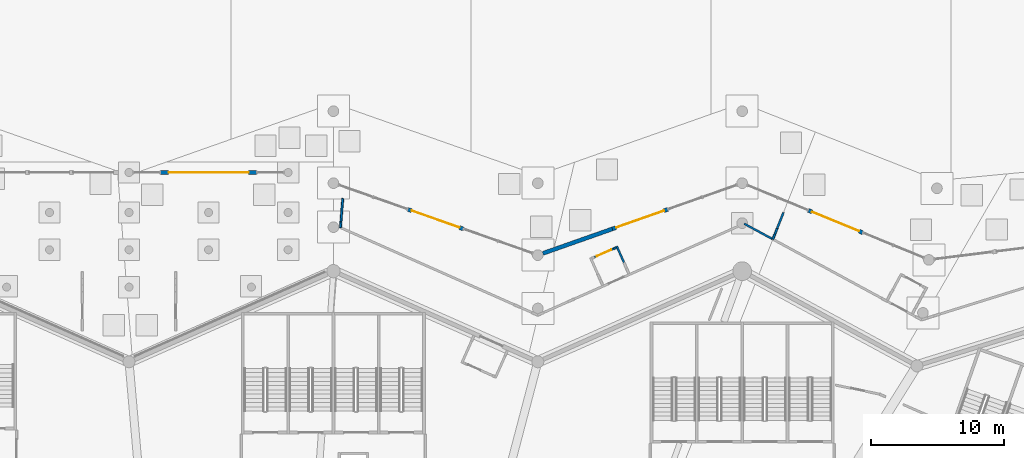
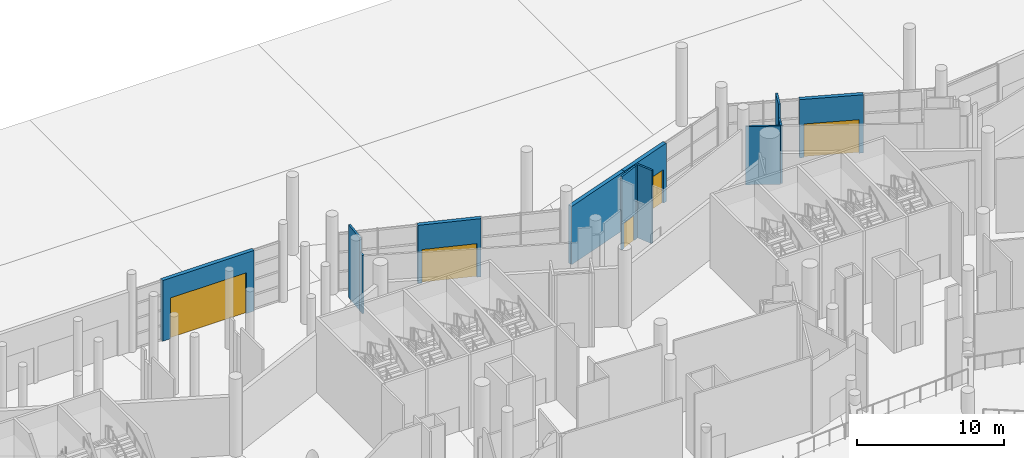
# One storey, part 154 of 255: 14 walls, 5 doors, 5 openings.
"""IFC4 building model written with IfcOpenShell, lengths in metres."""

from ifc_helpers import new_model, si_unit, direction, frame, frame_2d, origin, place, context, subcontext, project, spatial, rectangle, extrude, material, layer, layer_set, type_object, element, fill, save


model = new_model("IFC4")

# Units and contexts
model_context = context("Model", 3, precision=1e-05, world=origin(), true_north=direction((0.0, 1.0)))
body_context = subcontext(model_context, "Body", "Model", "MODEL_VIEW")
ifc_project = project(units=[si_unit("LENGTHUNIT", "METRE"), si_unit("AREAUNIT", "SQUARE_METRE"), si_unit("VOLUMEUNIT", "CUBIC_METRE"), si_unit("PLANEANGLEUNIT", "RADIAN"), si_unit("MASSUNIT", "GRAM", prefix="KILO")], contexts=[model_context])

# Site, building, storey
site_placement = place(None, origin())
site = spatial("IfcSite", under=ifc_project, at=site_placement, CompositionType="ELEMENT")
building_placement = place(site_placement, origin())
building = spatial("IfcBuilding", under=site, at=building_placement, Name="Meseta Stadium", CompositionType="ELEMENT")
storey_placement = place(building_placement, origin())
storey = spatial("IfcBuildingStorey", under=building, at=storey_placement, Name="L00", CompositionType="ELEMENT", Elevation=0.0)

# Wall, opening, door
ifc_material_1 = material(Name="Precast concrete C40/50", Category="concrete")
ifc_layer_1 = layer(ifc_material_1, 0.300048828125)
ifc_layer_set_1 = layer_set([ifc_layer_1], Name="Gate facade panel wall 300")
wall_type_1 = type_object("IfcWallType", Name="Gate facade panel wall 300", PredefinedType="SOLIDWALL", material=ifc_layer_set_1)
wall_1_placement = place(storey_placement, frame((-5.300048828125, 112.800048828125, 0.0), z_axis=(0.0, 0.0, 1.0), x_axis=(1.0, 0.0, 0.0)))
wall_1 = element("IfcWall", 1, at=wall_1_placement, inside=storey, type_object=wall_type_1, Name="Gate 3 entrance wall", PredefinedType="SOLIDWALL", context=body_context, shape_type="SweptSolid", body=[
    extrude(rectangle(XDim=7.199951171875, YDim=0.300048828125, at=frame_2d((3.60009765625, 0.0))), origin(), (0.0, 0.0, 1.0), 5.050048828125),
])
opening_1_placement = place(wall_1_placement, frame((0.60009765625, 0.0, 0.0)))
opening_1 = element("IfcOpeningElement", 2, at=opening_1_placement, cuts=wall_1, Name="Opening D010", PredefinedType="OPENING", context=body_context, shape_type="SweptSolid", body=[
    extrude(rectangle(XDim=6.0, YDim=3.39990234375, at=frame_2d((3.0, 1.699951171875))), frame((0.0, 0.159912109375, 0.0), z_axis=(0.0, -1.0, 0.0), x_axis=(1.0, 0.0, 0.0)), (0.0, 0.0, 1.0), 0.320068359375),
])
ifc_material_2 = material(Name="Steel", Category="steel")
door_type_1 = type_object("IfcDoorType", Name="Main entrance door 6000x3400", OperationType="DOUBLE_DOOR_SINGLE_SWING", PredefinedType="DOOR", material=ifc_material_2)
door_1_placement = place(opening_1_placement, origin())
door_1 = element("IfcDoor", 3, at=door_1_placement, inside=storey, type_object=door_type_1, Name="Main entrance E3", OperationType="DOUBLE_DOOR_SINGLE_SWING", OverallHeight=3.39990234375, OverallWidth=6.0, PredefinedType="DOOR", context=body_context, shape_type="SweptSolid", body=[
    extrude(rectangle(XDim=6.0, YDim=3.39990234375, at=frame_2d((3.0, 1.699951171875))), frame((0.0, 0.02490234375, 0.0), z_axis=(0.0, -1.0, 0.0), x_axis=(1.0, 0.0, 0.0)), (0.0, 0.0, 1.0), 0.050048828125),
])
fill(opening_1, door_1)

# Walls
ifc_material_3 = material(Name="Masonry blockwork", Category="masonry")
ifc_layer_2 = layer(ifc_material_3, 0.14990234375)
ifc_layer_set_2 = layer_set([ifc_layer_2], Name="Partition 150")
wall_type_2 = type_object("IfcWallType", Name="Partition 150", PredefinedType="PARTITIONING", material=ifc_layer_set_2)
wall_2_placement = place(storey_placement, frame((40.63232421875, 107.793701171875, 0.0), z_axis=(0.0, 0.0, 1.0), x_axis=(0.369154655134, 0.929367979109, 0.0)))
element("IfcWall", 4, at=wall_2_placement, inside=storey, type_object=wall_type_2, Name="Partition L00 L00-ring07-0", PredefinedType="PARTITIONING", context=body_context, shape_type="SweptSolid", body=[
    extrude(rectangle(XDim=0.43310546875, YDim=0.14990234375, at=frame_2d((0.216552734375, 0.0))), origin(), (0.0, 0.0, 1.0), 4.85009765625),
])
wall_3_placement = place(storey_placement, frame((40.792236328125, 108.1962890625, 0.0), z_axis=(0.0, 0.0, 1.0), x_axis=(0.368961389956, 0.92944472279, 0.0)))
element("IfcWall", 5, at=wall_3_placement, inside=storey, type_object=wall_type_2, Name="Partition L00 L00-ring07-0", PredefinedType="PARTITIONING", context=body_context, shape_type="SweptSolid", body=[
    extrude(rectangle(XDim=0.433349609375, YDim=0.14990234375, at=frame_2d((0.216796875, 0.0))), origin(), (0.0, 0.0, 1.0), 4.85009765625),
])
wall_4_placement = place(storey_placement, frame((40.9521484375, 108.59912109375, 0.0), z_axis=(0.0, 0.0, 1.0), x_axis=(0.36879916763, 0.929509103751, 0.0)))
element("IfcWall", 6, at=wall_4_placement, inside=storey, type_object=wall_type_2, Name="Partition L00 L00-ring07-0", PredefinedType="PARTITIONING", context=body_context, shape_type="SweptSolid", body=[
    extrude(rectangle(XDim=1.300048828125, YDim=0.14990234375, at=frame_2d((0.64990234375, 0.0))), origin(), (0.0, 0.0, 1.0), 6.050048828125),
])
wall_5_placement = place(storey_placement, frame((40.588134765625, 107.817626953125, 0.0), z_axis=(0.0, 0.0, 1.0), x_axis=(-0.879130660661, 0.476580823666, 0.0)))
element("IfcWall", 7, at=wall_5_placement, inside=storey, type_object=wall_type_2, Name="Partition L00 L00-ring08-0", PredefinedType="PARTITIONING", context=body_context, shape_type="SweptSolid", body=[
    extrude(rectangle(XDim=2.404052734375, YDim=0.14990234375, at=frame_2d((1.2021484375, 0.0))), origin(), (0.0, 0.0, 1.0), 4.85009765625),
])
wall_6_placement = place(storey_placement, frame((8.19580078125, 108.666015625, 0.0), z_axis=(0.0, 0.0, 1.0), x_axis=(0.079081162937, 0.996868180688, 0.0)))
element("IfcWall", 8, at=wall_6_placement, inside=storey, type_object=wall_type_2, Name="Partition L00 L00-ring08-0", PredefinedType="PARTITIONING", context=body_context, shape_type="SweptSolid", body=[
    extrude(rectangle(XDim=0.4384765625, YDim=0.14990234375, at=frame_2d((0.21923828125, 0.0))), origin(), (0.0, 0.0, 1.0), 4.85009765625),
])
wall_7_placement = place(storey_placement, frame((8.23046875, 109.10302734375, 0.0), z_axis=(0.0, 0.0, 1.0), x_axis=(0.079070188673, 0.996869051211, 0.0)))
element("IfcWall", 9, at=wall_7_placement, inside=storey, type_object=wall_type_2, Name="Partition L00 L00-ring08-0", PredefinedType="PARTITIONING", context=body_context, shape_type="SweptSolid", body=[
    extrude(rectangle(XDim=1.753662109375, YDim=0.14990234375, at=frame_2d((0.876953125, 0.0))), origin(), (0.0, 0.0, 1.0), 6.050048828125),
])
wall_8_placement = place(storey_placement, frame((29.468505859375, 106.035888671875, 0.0), z_axis=(0.0, 0.0, 1.0), x_axis=(-0.405282518143, 0.914191490054, 0.0)))
element("IfcWall", 10, at=wall_8_placement, inside=storey, type_object=wall_type_2, Name="Partition L00 L00-ring08-0 vestibule", PredefinedType="PARTITIONING", context=body_context, shape_type="SweptSolid", body=[
    extrude(rectangle(XDim=1.349853515625, YDim=0.14990234375, at=frame_2d((0.6748046875, 0.0))), origin(), (0.0, 0.0, 1.0), 6.10009765625),
])
wall_9_placement = place(storey_placement, frame((28.883056640625, 107.1708984375, 0.0), z_axis=(0.0, 0.0, 1.0), x_axis=(-0.914213764774, -0.405232269566, 0.0)))
element("IfcWall", 11, at=wall_9_placement, inside=storey, type_object=wall_type_2, Name="Partition L00 L00-ring08-0 vestibule", PredefinedType="PARTITIONING", context=body_context, shape_type="SweptSolid", body=[
    extrude(rectangle(XDim=0.199951171875, YDim=0.14990234375, at=frame_2d((0.10009765625, 0.0))), origin(), (0.0, 0.0, 1.0), 6.10009765625),
])

# Wall, opening, door
wall_10_placement = place(storey_placement, frame((28.7001953125, 107.08984375, 0.0), z_axis=(0.0, 0.0, 1.0), x_axis=(-0.914107077827, -0.405472872418, 0.0)))
wall_10 = element("IfcWall", 12, at=wall_10_placement, inside=storey, type_object=wall_type_2, Name="Partition L00 L00-ring08-0 vestibule", PredefinedType="PARTITIONING", context=body_context, shape_type="SweptSolid", body=[
    extrude(rectangle(XDim=1.599853515625, YDim=0.14990234375, at=frame_2d((0.7998046875, 0.0))), origin(), (0.0, 0.0, 1.0), 6.10009765625),
])
opening_2_placement = place(wall_10_placement, frame((0.199951171875, 0.0, 0.0)))
opening_2 = element("IfcOpeningElement", 13, at=opening_2_placement, cuts=wall_10, Name="Opening D874", PredefinedType="OPENING", context=body_context, shape_type="SweptSolid", body=[
    extrude(rectangle(XDim=1.199951171875, YDim=2.10009765625, at=frame_2d((0.60009765625, 1.050048828125))), frame((0.0, 0.0849609375, 0.0), z_axis=(0.0, -1.0, 0.0), x_axis=(1.0, 0.0, 0.0)), (0.0, 0.0, 1.0), 0.169921875),
])
ifc_material_4 = material(Name="Steel", Category="steel")
door_type_2 = type_object("IfcDoorType", Name="Fire door 1200x2100 EI2 60", OperationType="NOTDEFINED", PredefinedType="DOOR", material=ifc_material_4)
door_2_placement = place(opening_2_placement, origin())
door_2 = element("IfcDoor", 14, at=door_2_placement, inside=storey, type_object=door_type_2, Name="Vestibule door L00 L00-ring08-0", OperationType="SINGLE_SWING_RIGHT", OverallHeight=2.10009765625, OverallWidth=1.199951171875, PredefinedType="DOOR", context=body_context, shape_type="SweptSolid", body=[
    extrude(rectangle(XDim=1.199951171875, YDim=2.10009765625, at=frame_2d((0.60009765625, 1.050048828125))), frame((0.0, 0.02490234375, 0.0), z_axis=(0.0, -1.0, 0.0), x_axis=(1.0, 0.0, 0.0)), (0.0, 0.0, 1.0), 0.050048828125),
])
fill(opening_2, door_2)

ifc_material_5 = material(Name="Precast concrete C40/50", Category="concrete")
ifc_layer_3 = layer(ifc_material_5, 0.300048828125)
ifc_layer_set_3 = layer_set([ifc_layer_3], Name="Ring facade panel wall 300")
wall_type_3 = type_object("IfcWallType", Name="Ring facade panel wall 300", PredefinedType="SOLIDWALL", material=ifc_layer_set_3)
wall_11_placement = place(storey_placement, frame((43.30029296875, 109.95849609375, 0.0), z_axis=(0.0, 0.0, 1.0), x_axis=(0.924914628692, -0.380174867175, 0.0)))
wall_11 = element("IfcWall", 15, at=wall_11_placement, inside=storey, type_object=wall_type_3, Name="Ring facade panel wall F15", PredefinedType="SOLIDWALL", context=body_context, shape_type="SweptSolid", body=[
    extrude(rectangle(XDim=4.400146484375, YDim=0.300048828125, at=frame_2d((2.2001953125, 0.0))), origin(), (0.0, 0.0, 1.0), 4.85009765625),
])
opening_3_placement = place(wall_11_placement, frame((0.300048828125, 0.0, 0.0)))
opening_3 = element("IfcOpeningElement", 16, at=opening_3_placement, cuts=wall_11, Name="Opening D943", PredefinedType="OPENING", context=body_context, shape_type="SweptSolid", body=[
    extrude(rectangle(XDim=3.800048828125, YDim=2.800048828125, at=frame_2d((1.89990234375, 1.39990234375))), frame((0.0, 0.159912109375, 0.0), z_axis=(0.0, -1.0, 0.0), x_axis=(1.0, 0.0, 0.0)), (0.0, 0.0, 1.0), 0.320068359375),
])
ifc_material_6 = material(Name="Steel", Category="steel")
door_type_3 = type_object("IfcDoorType", Name="Final exit door 3800x2800", OperationType="DOUBLE_DOOR_SINGLE_SWING", PredefinedType="DOOR", material=ifc_material_6)
door_3_placement = place(opening_3_placement, origin())
door_3 = element("IfcDoor", 17, at=door_3_placement, inside=storey, type_object=door_type_3, Name="Final exit F8", OperationType="DOUBLE_DOOR_SINGLE_SWING", OverallHeight=2.800048828125, OverallWidth=3.800048828125, PredefinedType="DOOR", context=body_context, shape_type="SweptSolid", body=[
    extrude(rectangle(XDim=3.800048828125, YDim=2.800048828125, at=frame_2d((1.89990234375, 1.39990234375))), frame((0.0, 0.02490234375, 0.0), z_axis=(0.0, -1.0, 0.0), x_axis=(1.0, 0.0, 0.0)), (0.0, 0.0, 1.0), 0.050048828125),
])
fill(opening_3, door_3)

wall_12_placement = place(storey_placement, frame((28.591552734375, 108.569091796875, 0.0), z_axis=(0.0, 0.0, 1.0), x_axis=(0.943210364758, 0.332196038226, 0.0)))
wall_12 = element("IfcWall", 18, at=wall_12_placement, inside=storey, type_object=wall_type_3, Name="Ring facade panel wall F16", PredefinedType="SOLIDWALL", context=body_context, shape_type="SweptSolid", body=[
    extrude(rectangle(XDim=4.39990234375, YDim=0.300048828125, at=frame_2d((2.199951171875, 0.0))), origin(), (0.0, 0.0, 1.0), 4.85009765625),
])
opening_4_placement = place(wall_12_placement, frame((0.300048828125, 0.0, 0.0)))
opening_4 = element("IfcOpeningElement", 19, at=opening_4_placement, cuts=wall_12, Name="Opening D944", PredefinedType="OPENING", context=body_context, shape_type="SweptSolid", body=[
    extrude(rectangle(XDim=3.800048828125, YDim=2.800048828125, at=frame_2d((1.89990234375, 1.39990234375))), frame((0.0, 0.159912109375, 0.0), z_axis=(0.0, -1.0, 0.0), x_axis=(1.0, 0.0, 0.0)), (0.0, 0.0, 1.0), 0.320068359375),
])
door_4_placement = place(opening_4_placement, origin())
door_4 = element("IfcDoor", 20, at=door_4_placement, inside=storey, type_object=door_type_3, Name="Final exit F9", OperationType="DOUBLE_DOOR_SINGLE_SWING", OverallHeight=2.800048828125, OverallWidth=3.800048828125, PredefinedType="DOOR", context=body_context, shape_type="SweptSolid", body=[
    extrude(rectangle(XDim=3.800048828125, YDim=2.800048828125, at=frame_2d((1.89990234375, 1.39990234375))), frame((0.0, 0.02490234375, 0.0), z_axis=(0.0, -1.0, 0.0), x_axis=(1.0, 0.0, 0.0)), (0.0, 0.0, 1.0), 0.050048828125),
])
fill(opening_4, door_4)

# Wall
wall_13_placement = place(storey_placement, frame((23.377197265625, 106.73291015625, 0.0), z_axis=(0.0, 0.0, 1.0), x_axis=(0.943227349695, 0.332147808646, 0.0)))
element("IfcWall", 21, at=wall_13_placement, inside=storey, type_object=wall_type_3, Name="Ring store panel wall F16b", PredefinedType="SOLIDWALL", context=body_context, shape_type="SweptSolid", body=[
    extrude(rectangle(XDim=5.5283203125, YDim=0.300048828125, at=frame_2d((2.76416015625, 0.0))), origin(), (0.0, 0.0, 1.0), 4.85009765625),
])

# Wall, opening, door
wall_14_placement = place(storey_placement, frame((13.25830078125, 110.03076171875, 0.0), z_axis=(0.0, 0.0, 1.0), x_axis=(0.943210364758, -0.332196038226, 0.0)))
wall_14 = element("IfcWall", 22, at=wall_14_placement, inside=storey, type_object=wall_type_3, Name="Ring facade panel wall F17", PredefinedType="SOLIDWALL", context=body_context, shape_type="SweptSolid", body=[
    extrude(rectangle(XDim=4.39990234375, YDim=0.300048828125, at=frame_2d((2.199951171875, 0.0))), origin(), (0.0, 0.0, 1.0), 4.85009765625),
])
opening_5_placement = place(wall_14_placement, frame((0.300048828125, 0.0, 0.0)))
opening_5 = element("IfcOpeningElement", 23, at=opening_5_placement, cuts=wall_14, Name="Opening D945", PredefinedType="OPENING", context=body_context, shape_type="SweptSolid", body=[
    extrude(rectangle(XDim=3.800048828125, YDim=2.800048828125, at=frame_2d((1.89990234375, 1.39990234375))), frame((0.0, 0.159912109375, 0.0), z_axis=(0.0, -1.0, 0.0), x_axis=(1.0, 0.0, 0.0)), (0.0, 0.0, 1.0), 0.320068359375),
])
door_5_placement = place(opening_5_placement, origin())
door_5 = element("IfcDoor", 24, at=door_5_placement, inside=storey, type_object=door_type_3, Name="Final exit F10", OperationType="DOUBLE_DOOR_SINGLE_SWING", OverallHeight=2.800048828125, OverallWidth=3.800048828125, PredefinedType="DOOR", context=body_context, shape_type="SweptSolid", body=[
    extrude(rectangle(XDim=3.800048828125, YDim=2.800048828125, at=frame_2d((1.89990234375, 1.39990234375))), frame((0.0, 0.02490234375, 0.0), z_axis=(0.0, -1.0, 0.0), x_axis=(1.0, 0.0, 0.0)), (0.0, 0.0, 1.0), 0.050048828125),
])
fill(opening_5, door_5)

save(model, "model.ifc")
